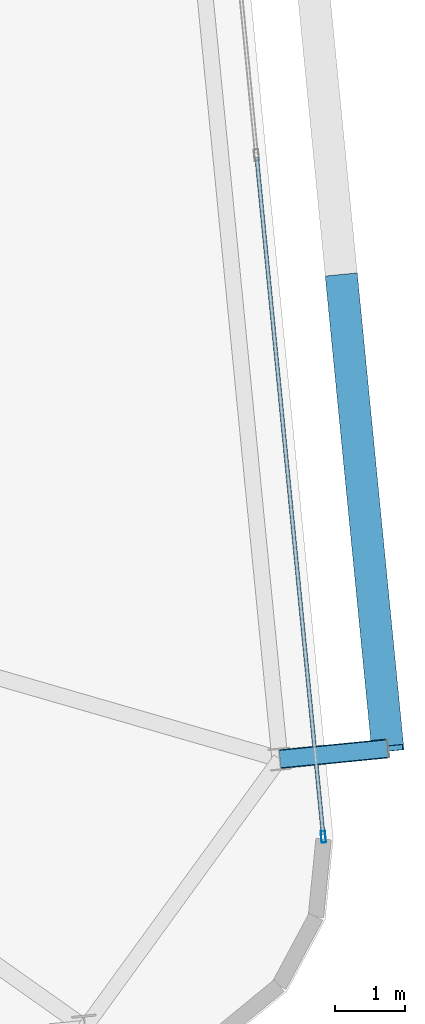
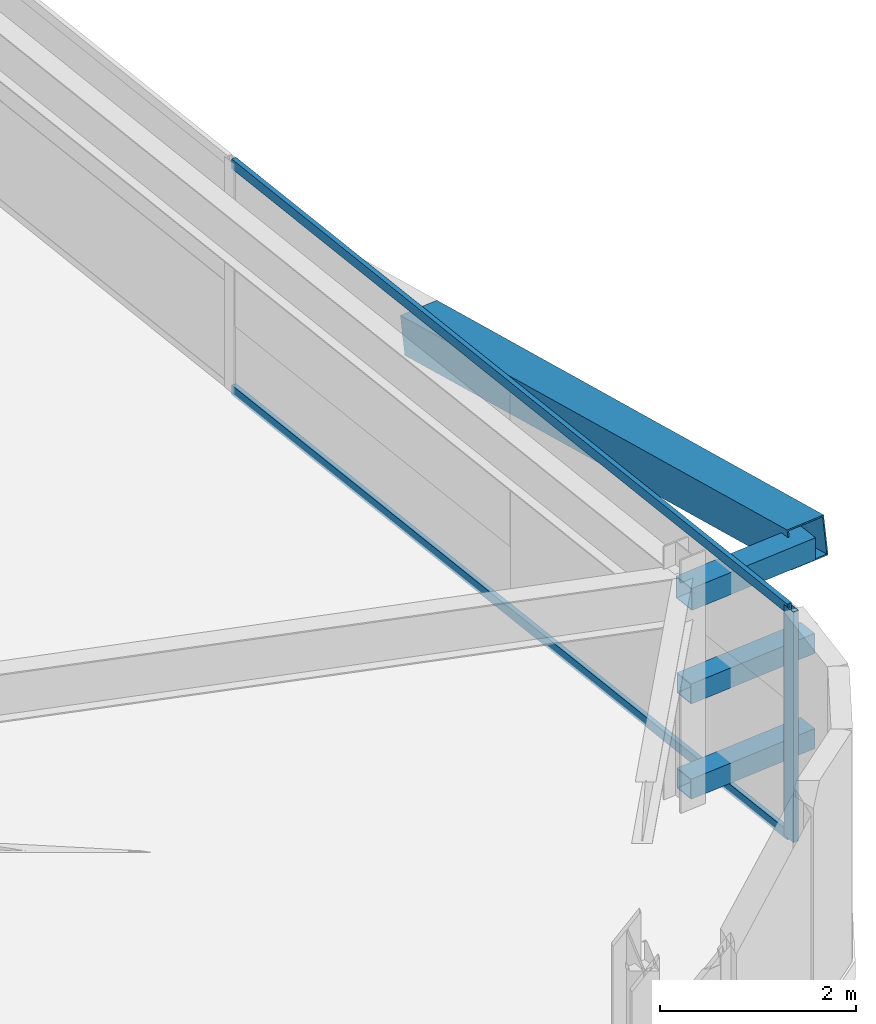
# One storey, part 19 of 47: 7 members, 1 element without a shape of its own.
"""IFC4 building model written with IfcOpenShell, lengths in metres."""

from ifc_helpers import new_model, si_unit, direction, frame, origin, origin_2d, place, context, subcontext, project, spatial, hollow_rectangle, extrude, source, transform, mapped, material, layer, layer_set, material_profile, profile_set, type_object, element, aggregate, save


model = new_model("IFC4")

# Units and contexts
model_context = context("Model", 3, precision=1e-05, world=origin(), true_north=direction((0.0, 1.0)))
body_context = subcontext(model_context, "Body", "Model", "MODEL_VIEW")
ifc_project = project(units=[si_unit("LENGTHUNIT", "METRE"), si_unit("AREAUNIT", "SQUARE_METRE"), si_unit("VOLUMEUNIT", "CUBIC_METRE"), si_unit("PLANEANGLEUNIT", "RADIAN"), si_unit("MASSUNIT", "GRAM", prefix="KILO")], contexts=[model_context])

# Site, building, storey
site_placement = place(None, origin())
site = spatial("IfcSite", under=ifc_project, at=site_placement, CompositionType="ELEMENT")
building_placement = place(site_placement, origin())
building = spatial("IfcBuilding", under=site, at=building_placement, Name="Taldren Reach Tower", CompositionType="ELEMENT")
storey_placement = place(building_placement, frame((0.0, 0.0, 109.199951171875)))
storey = spatial("IfcBuildingStorey", under=building, at=storey_placement, Name="L33", CompositionType="ELEMENT", Elevation=109.199951171875)

# Members
ifc_material_1 = material(Name="Steel Gr 450 (C450L0)", Category="steel")
ifc_material_profile_1 = material_profile(ifc_material_1, hollow_rectangle(XDim=0.27490234375, YDim=0.27490234375, WallThickness=0.00927734375, at=origin_2d()), Name="275x275x9.3SHS")
ifc_profile_set_1 = profile_set([ifc_material_profile_1], Name="Steel Gr 450 (C450L0)")
member_type_1 = type_object("IfcMemberType", Name="MB-TIE273", PredefinedType="STRUT", material=ifc_profile_set_1)
shared_shape_1 = source(origin(), body_context, "Body", "SweptSolid", [
    extrude(hollow_rectangle(XDim=0.27490234375, YDim=0.27490234375, WallThickness=0.00927734375, at=origin_2d()), origin(), (0.0, 0.0, 1.0), 1.550048828125),
])
member_1_placement = place(storey_placement, frame((65.8916015625, 8.483642578125, 2.590087890625), z_axis=(0.995236318924, 0.097491894511, 0.0), x_axis=(-0.097491894511, 0.995236318924, 0.0)))
element("IfcMember", 1, at=member_1_placement, inside=storey, type_object=member_type_1, Name="Exoskeleton diaphragm tie strut B2-E1 L33", PredefinedType="STRUT", context=body_context, shape_type="MappedRepresentation", body=[
    mapped(shared_shape_1, transform((0.0, 0.0, 0.0), scale=1.0)),
])
ifc_material_2 = material(Name="Steel Gr 350 (C350L0)", Category="steel")
ifc_material_profile_2 = material_profile(ifc_material_2, hollow_rectangle(XDim=0.25, YDim=0.25, WallThickness=0.010009765625, at=origin_2d()), Name="250x250x10.0SHS")
ifc_profile_set_2 = profile_set([ifc_material_profile_2], Name="Steel Gr 350 (C350L0)")
member_type_2 = type_object("IfcMemberType", Name="MB-POST250", PredefinedType="POST", material=ifc_profile_set_2)
shared_shape_2 = source(origin(), body_context, "Body", "SweptSolid", [
    extrude(hollow_rectangle(XDim=0.25, YDim=0.25, WallThickness=0.010009765625, at=origin_2d()), origin(), (0.0, 0.0, 1.0), 1.550048828125),
])
for number, where, z_axis, x_axis, name in (
    (2, (65.8916015625, 8.483642578125, 0.219970703125), (0.995236318924, 0.097491894511, 0.0), (-0.097491894511, 0.995236318924, 0.0), "Exoskeleton base diaphragm tie strut B2-E1 L33"),
    (3, (65.8916015625, 8.483642578125, 1.405029296875), (0.995236318924, 0.097491894511, 0.0), (-0.097491894511, 0.995236318924, 0.0), "Exoskeleton mid-tier diaphragm tie B2-E1 L33"),
):
    element("IfcMember", number, at=place(storey_placement, frame(where, z_axis=z_axis, x_axis=x_axis)), inside=storey, type_object=member_type_2, Name=name, PredefinedType="POST", context=body_context, shape_type="MappedRepresentation", body=[
        mapped(shared_shape_2, transform((0.0, 0.0, 0.0), scale=1.0)),
    ])
ifc_material_profile_3 = material_profile(ifc_material_1, hollow_rectangle(XDim=0.4599609375, YDim=0.4599609375, WallThickness=0.01611328125, at=origin_2d()), Name="460x460x16.0SHS")
ifc_profile_set_3 = profile_set([ifc_material_profile_3], Name="Steel Gr 450 (C450L0)")
member_type_3 = type_object("IfcMemberType", Name="MB-EXO457", PredefinedType="BRACE", material=ifc_profile_set_3)
shared_shape_3 = source(origin(), body_context, "Body", "SweptSolid", [
    extrude(hollow_rectangle(XDim=0.4599609375, YDim=0.4599609375, WallThickness=0.01611328125, at=origin_2d()), origin(), (0.0, 0.0, 1.0), 6.8779296875),
])
member_2_placement = place(storey_placement, frame((66.773193359375, 15.37744140625, 1.405029296875), z_axis=(0.096124602974, -0.980343162824, 0.172300156143), x_axis=(0.995227290009, 0.097584021339, 0.0)))
element("IfcMember", 4, at=member_2_placement, inside=storey, type_object=member_type_3, Name="Exoskeleton Diagrid Brace B2-E1 L33", PredefinedType="BRACE", context=body_context, shape_type="MappedRepresentation", body=[
    mapped(shared_shape_3, transform((0.0, 0.0, 0.0), scale=1.0)),
])

# Curtain wall, members
ifc_material_3 = material(Name="Aluminium and Low-E Glass Unitised System", Category="aluminium")
ifc_layer = layer(ifc_material_3, 0.159912109375)
ifc_layer_set = layer_set([ifc_layer], Name="Aluminium and Low-E Glass Unitised System")
curtain_wall_type = type_object("IfcCurtainWallType", Name="CW-SYS-3", PredefinedType="NOTDEFINED", material=ifc_layer_set)
curtain_wall_placement = place(storey_placement, origin())
curtain_wall = element("IfcCurtainWall", 5, at=curtain_wall_placement, inside=storey, type_object=curtain_wall_type, Name="Unitised curtain wall CW-L33-E", PredefinedType="NOTDEFINED")
ifc_material_4 = material(Name="Anodised Aluminium 6063-T6", Category="aluminium")
ifc_material_profile_4 = material_profile(ifc_material_4, hollow_rectangle(XDim=0.06494140625, YDim=0.1650390625, WallThickness=0.00390625, at=origin_2d()), Name="ALU-165x65x4RHS")
ifc_profile_set_4 = profile_set([ifc_material_profile_4], Name="Anodised Aluminium 6063-T6")
member_type_4 = type_object("IfcMemberType", Name="CW-MUL-165", PredefinedType="MULLION", material=ifc_profile_set_4)
shared_shape_4 = source(origin(), body_context, "Body", "SweptSolid", [
    extrude(hollow_rectangle(XDim=0.06494140625, YDim=0.1650390625, WallThickness=0.00390625, at=origin_2d()), origin(), (0.0, 0.0, 1.0), 2.8701171875),
])
member_3_placement = place(storey_placement, frame((66.51318359375, 7.371337890625, 0.0), z_axis=(0.0, 0.0, 1.0), x_axis=(-0.99522741555, -0.09758274098, 0.0)))
member_3 = element("IfcMember", 6, at=member_3_placement, type_object=member_type_4, Name="CW-3 mullion 1", PredefinedType="MULLION", context=body_context, shape_type="MappedRepresentation", body=[
    mapped(shared_shape_4, transform((0.0, 0.0, 0.0), scale=1.0)),
])
ifc_material_profile_5 = material_profile(ifc_material_4, hollow_rectangle(XDim=0.054931640625, YDim=0.1201171875, WallThickness=0.0029296875, at=origin_2d()), Name="ALU-120x55x3RHS")
ifc_profile_set_5 = profile_set([ifc_material_profile_5], Name="Anodised Aluminium 6063-T6")
member_type_5 = type_object("IfcMemberType", Name="CW-TRN-135", PredefinedType="USERDEFINED", material=ifc_profile_set_5)
shared_shape_5 = source(origin(), body_context, "Body", "SweptSolid", [
    extrude(hollow_rectangle(XDim=0.054931640625, YDim=0.1201171875, WallThickness=0.0029296875, at=origin_2d()), origin(), (0.0, 0.0, 1.0), 9.735595703125),
])
member_4_placement = place(storey_placement, frame((66.510009765625, 7.40380859375, 0.027587890625), z_axis=(-0.097574346172, 0.995228238631, 0.0), x_axis=(-0.995228238631, -0.097574346172, 0.0)))
member_4 = element("IfcMember", 7, at=member_4_placement, type_object=member_type_5, Name="CW-3 transom 1.1", ObjectType="TRANSOM", PredefinedType="USERDEFINED", context=body_context, shape_type="MappedRepresentation", body=[
    mapped(shared_shape_5, transform((0.0, 0.0, 0.0), scale=1.0)),
])
member_5_placement = place(storey_placement, frame((66.510009765625, 7.40380859375, 2.842529296875), z_axis=(-0.097574346172, 0.995228238631, 0.0), x_axis=(-0.995228238631, -0.097574346172, 0.0)))
member_5 = element("IfcMember", 8, at=member_5_placement, type_object=member_type_5, Name="CW-3 transom 1.2", ObjectType="TRANSOM", PredefinedType="USERDEFINED", context=body_context, shape_type="MappedRepresentation", body=[
    mapped(shared_shape_5, transform((0.0, 0.0, 0.0), scale=1.0)),
])
aggregate(curtain_wall, [member_3, member_4, member_5])

save(model, "model.ifc")
